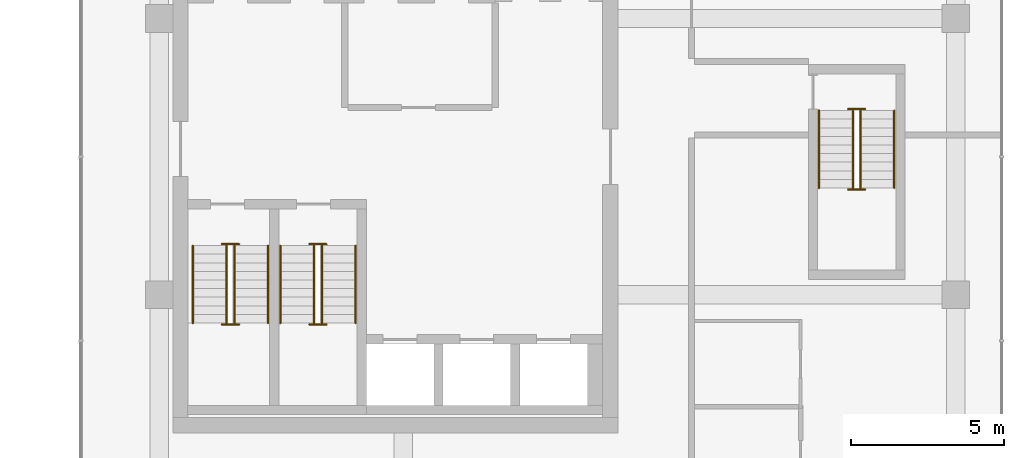
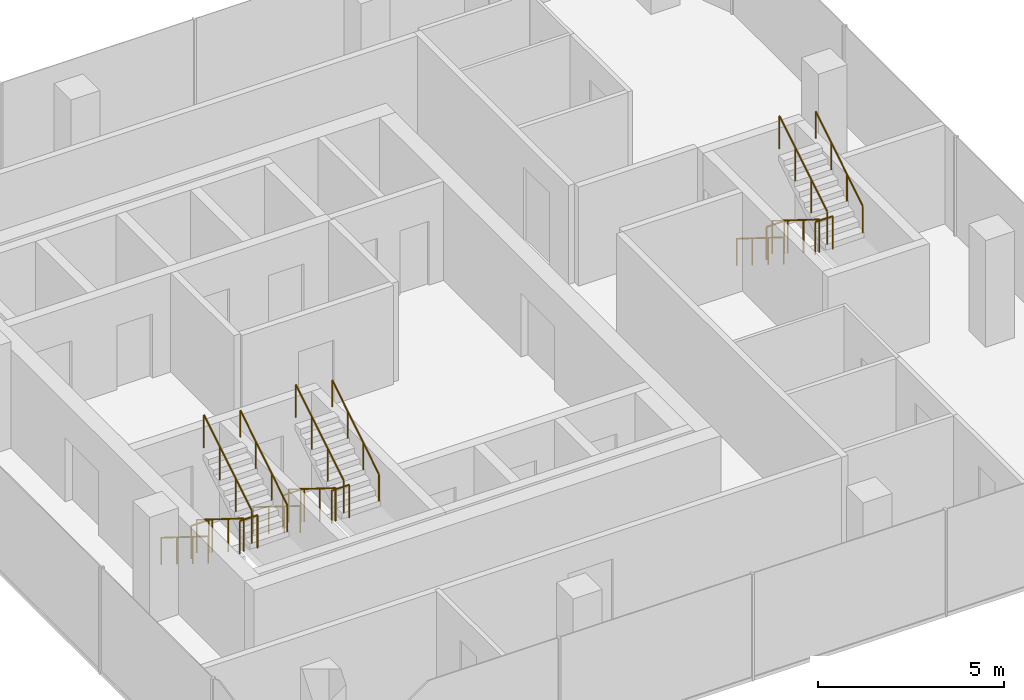
# One storey, part 22 of 22: 18 railings.
"""IFC4 building model written with IfcOpenShell, lengths in metres."""

import ifcopenshell
import ifcopenshell.guid

model = None  # the IFC model being written
_history = None  # IfcOwnerHistory: only IFC2X3 demands one
_inside = {}  # id of a spatial element -> (the spatial element, [elements in it])
_under = {}  # id of a project, library or spatial element -> (it, [spatial elements below it])
_declared = {}  # id of a project -> (the project, [libraries it declares])
_typed = {}  # id of a type object -> (the type object, [elements of that type])
_made_of = {}  # id of a material, layer set ... -> (it, [elements and type objects made of it])


def new_model(schema):
    """Start an empty IFC model of exactly this schema.

    Asked for "IFC4X3", IfcOpenShell would pick the latest addendum, in which some entities
    have other attributes; the version numbers below select the first issue.
    IFC2X3 requires an IfcOwnerHistory on every rooted entity: one is made here for all.
    """
    global model, _history
    if schema == "IFC4X3":
        model = ifcopenshell.file(schema_version=(4, 3, 0, 0))
    else:
        model = ifcopenshell.file(schema=schema)
    _inside.clear()
    _under.clear()
    _declared.clear()
    _typed.clear()
    _made_of.clear()
    _history = None
    if model.schema == "IFC2X3":
        org = make("IfcOrganization", Name="unknown")
        user = make(
            "IfcPersonAndOrganization",
            ThePerson=make("IfcPerson", FamilyName="unknown"),
            TheOrganization=org,
        )
        app = make(
            "IfcApplication",
            ApplicationDeveloper=org,
            Version="unknown",
            ApplicationFullName="unknown",
            ApplicationIdentifier="unknown",
        )
        _history = make(
            "IfcOwnerHistory",
            OwningUser=user,
            OwningApplication=app,
            ChangeAction="ADDED",
            CreationDate=0,
        )
    return model


def make(cls, **values):
    """One entity of the class cls with the attributes given. An attribute that is None is left unset."""
    return model.create_entity(
        cls, **{name: value for name, value in values.items() if value is not None}
    )


def rooted(cls, **values):
    """An entity with a GlobalId (a new one), such as an element, a storey or a relation."""
    return make(cls, GlobalId=ifcopenshell.guid.new(), OwnerHistory=_history, **values)


def si_unit(unit_type, name, prefix=None):
    """IfcSIUnit, for example si_unit("LENGTHUNIT", "METRE", prefix="MILLI")."""
    return make("IfcSIUnit", UnitType=unit_type, Prefix=prefix, Name=name)


def assignment(units):
    """IfcUnitAssignment: the units of a project."""
    return None if units is None else make("IfcUnitAssignment", Units=units)


def point(xyz):
    """IfcCartesianPoint."""
    return None if xyz is None else make("IfcCartesianPoint", Coordinates=xyz)


def direction(xyz):
    """IfcDirection."""
    return None if xyz is None else make("IfcDirection", DirectionRatios=xyz)


def frame(location, z_axis=None, x_axis=None):
    """IfcAxis2Placement3D, a coordinate frame: its origin and axes. An axis left out is left unset."""
    return make(
        "IfcAxis2Placement3D",
        Location=point(location),
        Axis=direction(z_axis),
        RefDirection=direction(x_axis),
    )


def frame_2d(location, x_axis=None):
    """IfcAxis2Placement2D, a coordinate frame in the plane: its origin and x axis."""
    return make(
        "IfcAxis2Placement2D", Location=point(location), RefDirection=direction(x_axis)
    )


def origin():
    """The frame at (0, 0, 0) with its axes left unset."""
    return frame((0.0, 0.0, 0.0))


def origin_2d():
    """The frame at (0, 0) in the plane with its x axis left unset."""
    return frame_2d((0.0, 0.0))


def place(relative_to, where):
    """IfcLocalPlacement: puts the frame where relative to a parent placement (None: the world)."""
    return make(
        "IfcLocalPlacement", PlacementRelTo=relative_to, RelativePlacement=where
    )


def context(
    kind, dimensions, precision=None, world=None, true_north=None, identifier=None
):
    """IfcGeometricRepresentationContext, for example the 3D "Model" context."""
    return make(
        "IfcGeometricRepresentationContext",
        ContextIdentifier=identifier,
        ContextType=kind,
        CoordinateSpaceDimension=dimensions,
        Precision=precision,
        WorldCoordinateSystem=world,
        TrueNorth=true_north,
    )


def subcontext(parent, identifier, kind, view, scale=None):
    """IfcGeometricRepresentationSubContext, for example "Body" below "Model"."""
    return make(
        "IfcGeometricRepresentationSubContext",
        ContextIdentifier=identifier,
        ContextType=kind,
        ParentContext=parent,
        TargetScale=scale,
        TargetView=view,
    )


def project(units=None, contexts=None):
    """IfcProject with its units and contexts."""
    return rooted(
        "IfcProject",
        Name="project",
        RepresentationContexts=contexts,
        UnitsInContext=assignment(units),
    )


def spatial(cls, under=None, at=None, **own):
    """A site, building, storey or space (cls), placed at a placement, below another one or the project."""
    s = rooted(cls, ObjectPlacement=at, **own)
    if under is not None:
        _under.setdefault(under.id(), (under, []))[1].append(s)
    return s


def profile(cls, at=None, kind="AREA", **sizes):
    """A parametric profile (cls). Its sizes go by their IFC names, for example OverallWidth=200.0."""
    return make(cls, ProfileType=kind, Position=at, **sizes)


def circle(**sizes):
    """IfcCircleProfileDef."""
    return profile("IfcCircleProfileDef", **sizes)


def extrude(swept, where, along, depth):
    """IfcExtrudedAreaSolid: the profile swept, set in the frame where, extruded along a direction by depth."""
    return make(
        "IfcExtrudedAreaSolid",
        SweptArea=swept,
        Position=where,
        ExtrudedDirection=direction(along),
        Depth=depth,
    )


def shape(context_of_items, identifier, shape_type, items):
    """IfcShapeRepresentation: the items that make up one representation, for example the "Body"."""
    return make(
        "IfcShapeRepresentation",
        ContextOfItems=context_of_items,
        RepresentationIdentifier=identifier,
        RepresentationType=shape_type,
        Items=items,
    )


def material(Name=None, Category=None):
    """IfcMaterial."""
    return make("IfcMaterial", Name=Name, Category=Category)


def made_of(thing, what):
    """Note that an element or type object is made of a material, layer set ...; save() writes the relation."""
    if what is not None:
        _made_of.setdefault(what.id(), (what, []))[1].append(thing)
    return thing


def type_object(cls, material=None, **own):
    """A type object (cls), such as IfcWallType, which elements share."""
    return made_of(rooted(cls, **own), material)


def element(
    cls,
    number,
    at=None,
    inside=None,
    cuts=None,
    type_object=None,
    material=None,
    context=None,
    identifier="Body",
    shape_type=None,
    held_by="IfcProductDefinitionShape",
    body=None,
    shapes=None,
    **own,
):
    """One element of the class cls, such as IfcWall. Its Tag is "e" and its number.

    at: its placement. inside: the storey or other place that contains it. cuts: it is an
    opening in that element (IfcRelVoidsElement). A single representation is given by context,
    identifier, shape_type and body (its items); several are given by shapes. held_by: the class
    of the entity that holds the representations. save() writes the other relations.
    """
    e = rooted(cls, Tag="e%d" % number, ObjectPlacement=at, **own)
    if body is not None:
        shapes = [shape(context, identifier, shape_type, body)]
    if shapes is not None:
        e.Representation = make(held_by, Representations=shapes)
    if inside is not None:
        _inside.setdefault(inside.id(), (inside, []))[1].append(e)
    if cuts is not None:
        rooted(
            "IfcRelVoidsElement", RelatingBuildingElement=cuts, RelatedOpeningElement=e
        )
    if type_object is not None:
        _typed.setdefault(type_object.id(), (type_object, []))[1].append(e)
    return made_of(e, material)


def aggregate(whole, parts):
    """IfcRelAggregates: a whole, such as a stair, and the parts it consists of."""
    return rooted("IfcRelAggregates", RelatingObject=whole, RelatedObjects=parts)


def save(model, path):
    """Write the relations noted so far, then the file.

    IfcRelAggregates (storeys below a building ...), IfcRelContainedInSpatialStructure (elements
    in a storey), IfcRelDefinesByType, IfcRelAssociatesMaterial and IfcRelDeclares: one each for
    every whole, place, type object, material and project.
    """
    for whole, parts in _under.values():
        aggregate(whole, parts)
    for where, things in _inside.values():
        rooted(
            "IfcRelContainedInSpatialStructure",
            RelatedElements=things,
            RelatingStructure=where,
        )
    for kind, things in _typed.values():
        rooted("IfcRelDefinesByType", RelatedObjects=things, RelatingType=kind)
    for what, things in _made_of.values():
        rooted("IfcRelAssociatesMaterial", RelatedObjects=things, RelatingMaterial=what)
    for by, libraries in _declared.values():
        rooted("IfcRelDeclares", RelatingContext=by, RelatedDefinitions=libraries)
    model.write(path)


model = new_model("IFC4")

# Units and contexts
model_context = context("Model", 3, precision=1e-05, world=origin(), true_north=direction((0.0, 1.0)))
body_context = subcontext(model_context, "Body", "Model", "MODEL_VIEW")
ifc_project = project(units=[si_unit("LENGTHUNIT", "METRE"), si_unit("AREAUNIT", "SQUARE_METRE"), si_unit("VOLUMEUNIT", "CUBIC_METRE"), si_unit("PLANEANGLEUNIT", "RADIAN"), si_unit("MASSUNIT", "GRAM", prefix="KILO")], contexts=[model_context])

# Site, building, storey
site_placement = place(None, origin())
site = spatial("IfcSite", under=ifc_project, at=site_placement, CompositionType="ELEMENT")
building_placement = place(site_placement, origin())
building = spatial("IfcBuilding", under=site, at=building_placement, Name="Plateau Cross Towers", CompositionType="ELEMENT")
storey_placement = place(building_placement, frame((0.0, 0.0, 54.800048828125)))
storey = spatial("IfcBuildingStorey", under=building, at=storey_placement, Name="L13", CompositionType="ELEMENT", Elevation=54.800048828125)

# Railings
ifc_material_1 = material(Name="Stainless steel and toughened glass", Category="steel")
railing_type_1 = type_object("IfcRailingType", Name="RL-GUARD-1100", PredefinedType="GUARDRAIL", material=ifc_material_1)
railing_1_placement = place(storey_placement, frame((76.75, 6.10009765625, 0.175048828125)))
element("IfcRailing", 1, at=railing_1_placement, inside=storey, type_object=railing_type_1, Name="L13 SB-1 stair guard 1", PredefinedType="GUARDRAIL", context=body_context, shape_type="SweptSolid", body=[
    extrude(circle(Radius=0.02392578125, at=origin_2d()), frame((0.0, 0.0, 1.076171875), z_axis=(0.0, -0.848007534815, 0.529984170421), x_axis=(1.0, 0.0, 0.0)), (0.0, 0.0, 1.0), 2.9716796875),
    extrude(circle(Radius=0.02099609375, at=origin_2d()), origin(), (0.0, 0.0, 1.0), 1.052001953125),
    extrude(circle(Radius=0.02099609375, at=origin_2d()), frame((0.0, -0.840087890625, 0.52490234375)), (0.0, 0.0, 1.0), 1.052001953125),
    extrude(circle(Radius=0.02099609375, at=origin_2d()), frame((0.0, -1.679931640625, 1.050048828125)), (0.0, 0.0, 1.0), 1.052001953125),
    extrude(circle(Radius=0.02099609375, at=origin_2d()), frame((0.0, -2.52001953125, 1.574951171875)), (0.0, 0.0, 1.0), 1.052001953125),
])
railing_2_placement = place(storey_placement, frame((76.60009765625, 3.530029296875, 1.75)))
element("IfcRailing", 2, at=railing_2_placement, inside=storey, type_object=railing_type_1, Name="L13 SB-1 stair guard 2", PredefinedType="GUARDRAIL", context=body_context, shape_type="SweptSolid", body=[
    extrude(circle(Radius=0.02392578125, at=origin_2d()), frame((0.0, 0.0, 1.076171875), z_axis=(1.0, 0.0, 0.0), x_axis=(0.0, 1.0, 0.0)), (0.0, 0.0, 1.0), 0.5498046875),
    extrude(circle(Radius=0.02099609375, at=origin_2d()), origin(), (0.0, 0.0, 1.0), 1.052001953125),
    extrude(circle(Radius=0.02099609375, at=origin_2d()), frame((0.5498046875, 0.0, 0.0)), (0.0, 0.0, 1.0), 1.052001953125),
])
railing_3_placement = place(storey_placement, frame((77.0, 3.580078125, 1.925048828125)))
element("IfcRailing", 3, at=railing_3_placement, inside=storey, type_object=railing_type_1, Name="L13 SB-1 stair guard 3", PredefinedType="GUARDRAIL", context=body_context, shape_type="SweptSolid", body=[
    extrude(circle(Radius=0.02392578125, at=origin_2d()), frame((0.0, 0.0, 1.076171875), z_axis=(0.0, 0.852616386126, 0.522537365276), x_axis=(-1.0, 0.0, 0.0)), (0.0, 0.0, 1.0), 3.01416015625),
    extrude(circle(Radius=0.02099609375, at=origin_2d()), origin(), (0.0, 0.0, 1.0), 1.052001953125),
    extrude(circle(Radius=0.02099609375, at=origin_2d()), frame((0.0, 0.856689453125, 0.52490234375)), (0.0, 0.0, 1.0), 1.052001953125),
    extrude(circle(Radius=0.02099609375, at=origin_2d()), frame((0.0, 1.713134765625, 1.050048828125)), (0.0, 0.0, 1.0), 1.052001953125),
    extrude(circle(Radius=0.02099609375, at=origin_2d()), frame((0.0, 2.56982421875, 1.574951171875)), (0.0, 0.0, 1.0), 1.052001953125),
])
railing_4_placement = place(storey_placement, frame((76.60009765625, 6.14990234375, 0.0)))
element("IfcRailing", 4, at=railing_4_placement, inside=storey, type_object=railing_type_1, Name="L13 SB-1 stair guard 4", PredefinedType="GUARDRAIL", context=body_context, shape_type="SweptSolid", body=[
    extrude(circle(Radius=0.02392578125, at=origin_2d()), frame((0.0, 0.0, 1.076171875), z_axis=(1.0, 0.0, 0.0), x_axis=(0.0, 1.0, 0.0)), (0.0, 0.0, 1.0), 0.5498046875),
    extrude(circle(Radius=0.02099609375, at=origin_2d()), origin(), (0.0, 0.0, 1.0), 1.052001953125),
    extrude(circle(Radius=0.02099609375, at=origin_2d()), frame((0.5498046875, 0.0, 0.0)), (0.0, 0.0, 1.0), 1.052001953125),
])
railing_5_placement = place(storey_placement, frame((79.60009765625, 6.10009765625, 0.175048828125)))
element("IfcRailing", 5, at=railing_5_placement, inside=storey, type_object=railing_type_1, Name="L13 SB-2 stair guard 1", PredefinedType="GUARDRAIL", context=body_context, shape_type="SweptSolid", body=[
    extrude(circle(Radius=0.02392578125, at=origin_2d()), frame((0.0, 0.0, 1.076171875), z_axis=(0.0, -0.848007534815, 0.529984170421), x_axis=(1.0, 0.0, 0.0)), (0.0, 0.0, 1.0), 2.9716796875),
    extrude(circle(Radius=0.02099609375, at=origin_2d()), origin(), (0.0, 0.0, 1.0), 1.052001953125),
    extrude(circle(Radius=0.02099609375, at=origin_2d()), frame((0.0, -0.840087890625, 0.52490234375)), (0.0, 0.0, 1.0), 1.052001953125),
    extrude(circle(Radius=0.02099609375, at=origin_2d()), frame((0.0, -1.679931640625, 1.050048828125)), (0.0, 0.0, 1.0), 1.052001953125),
    extrude(circle(Radius=0.02099609375, at=origin_2d()), frame((0.0, -2.52001953125, 1.574951171875)), (0.0, 0.0, 1.0), 1.052001953125),
])
railing_6_placement = place(storey_placement, frame((79.449951171875, 3.530029296875, 1.75)))
element("IfcRailing", 6, at=railing_6_placement, inside=storey, type_object=railing_type_1, Name="L13 SB-2 stair guard 2", PredefinedType="GUARDRAIL", context=body_context, shape_type="SweptSolid", body=[
    extrude(circle(Radius=0.02392578125, at=origin_2d()), frame((0.0, 0.0, 1.076171875), z_axis=(1.0, 0.0, 0.0), x_axis=(0.0, 1.0, 0.0)), (0.0, 0.0, 1.0), 0.550048828125),
    extrude(circle(Radius=0.02099609375, at=origin_2d()), origin(), (0.0, 0.0, 1.0), 1.052001953125),
    extrude(circle(Radius=0.02099609375, at=origin_2d()), frame((0.550048828125, 0.0, 0.0)), (0.0, 0.0, 1.0), 1.052001953125),
])
railing_7_placement = place(storey_placement, frame((79.85009765625, 3.580078125, 1.925048828125)))
element("IfcRailing", 7, at=railing_7_placement, inside=storey, type_object=railing_type_1, Name="L13 SB-2 stair guard 3", PredefinedType="GUARDRAIL", context=body_context, shape_type="SweptSolid", body=[
    extrude(circle(Radius=0.02392578125, at=origin_2d()), frame((0.0, 0.0, 1.076171875), z_axis=(0.0, 0.852616386126, 0.522537365276), x_axis=(-1.0, 0.0, 0.0)), (0.0, 0.0, 1.0), 3.01416015625),
    extrude(circle(Radius=0.02099609375, at=origin_2d()), origin(), (0.0, 0.0, 1.0), 1.052001953125),
    extrude(circle(Radius=0.02099609375, at=origin_2d()), frame((0.0, 0.856689453125, 0.52490234375)), (0.0, 0.0, 1.0), 1.052001953125),
    extrude(circle(Radius=0.02099609375, at=origin_2d()), frame((0.0, 1.713134765625, 1.050048828125)), (0.0, 0.0, 1.0), 1.052001953125),
    extrude(circle(Radius=0.02099609375, at=origin_2d()), frame((0.0, 2.56982421875, 1.574951171875)), (0.0, 0.0, 1.0), 1.052001953125),
])
railing_8_placement = place(storey_placement, frame((79.449951171875, 6.14990234375, 0.0)))
element("IfcRailing", 8, at=railing_8_placement, inside=storey, type_object=railing_type_1, Name="L13 SB-2 stair guard 4", PredefinedType="GUARDRAIL", context=body_context, shape_type="SweptSolid", body=[
    extrude(circle(Radius=0.02392578125, at=origin_2d()), frame((0.0, 0.0, 1.076171875), z_axis=(1.0, 0.0, 0.0), x_axis=(0.0, 1.0, 0.0)), (0.0, 0.0, 1.0), 0.550048828125),
    extrude(circle(Radius=0.02099609375, at=origin_2d()), origin(), (0.0, 0.0, 1.0), 1.052001953125),
    extrude(circle(Radius=0.02099609375, at=origin_2d()), frame((0.550048828125, 0.0, 0.0)), (0.0, 0.0, 1.0), 1.052001953125),
])
railing_9_placement = place(storey_placement, frame((97.14990234375, 10.5, 0.175048828125)))
element("IfcRailing", 9, at=railing_9_placement, inside=storey, type_object=railing_type_1, Name="L13 SB-3 stair guard 1", PredefinedType="GUARDRAIL", context=body_context, shape_type="SweptSolid", body=[
    extrude(circle(Radius=0.02392578125, at=origin_2d()), frame((0.0, 0.0, 1.076171875), z_axis=(0.0, -0.848007534815, 0.529984170421), x_axis=(1.0, 0.0, 0.0)), (0.0, 0.0, 1.0), 2.9716796875),
    extrude(circle(Radius=0.02099609375, at=origin_2d()), origin(), (0.0, 0.0, 1.0), 1.052001953125),
    extrude(circle(Radius=0.02099609375, at=origin_2d()), frame((0.0, -0.840087890625, 0.52490234375)), (0.0, 0.0, 1.0), 1.052001953125),
    extrude(circle(Radius=0.02099609375, at=origin_2d()), frame((0.0, -1.679931640625, 1.050048828125)), (0.0, 0.0, 1.0), 1.052001953125),
    extrude(circle(Radius=0.02099609375, at=origin_2d()), frame((0.0, -2.52001953125, 1.574951171875)), (0.0, 0.0, 1.0), 1.052001953125),
])
railing_10_placement = place(storey_placement, frame((97.0, 7.929931640625, 1.75)))
element("IfcRailing", 10, at=railing_10_placement, inside=storey, type_object=railing_type_1, Name="L13 SB-3 stair guard 2", PredefinedType="GUARDRAIL", context=body_context, shape_type="SweptSolid", body=[
    extrude(circle(Radius=0.02392578125, at=origin_2d()), frame((0.0, 0.0, 1.076171875), z_axis=(1.0, 0.0, 0.0), x_axis=(0.0, 1.0, 0.0)), (0.0, 0.0, 1.0), 0.550048828125),
    extrude(circle(Radius=0.02099609375, at=origin_2d()), origin(), (0.0, 0.0, 1.0), 1.052001953125),
    extrude(circle(Radius=0.02099609375, at=origin_2d()), frame((0.550048828125, 0.0, 0.0)), (0.0, 0.0, 1.0), 1.052001953125),
])
railing_11_placement = place(storey_placement, frame((97.39990234375, 7.97998046875, 1.925048828125)))
element("IfcRailing", 11, at=railing_11_placement, inside=storey, type_object=railing_type_1, Name="L13 SB-3 stair guard 3", PredefinedType="GUARDRAIL", context=body_context, shape_type="SweptSolid", body=[
    extrude(circle(Radius=0.02392578125, at=origin_2d()), frame((0.0, 0.0, 1.076171875), z_axis=(0.0, 0.852638500773, 0.522501279423), x_axis=(-1.0, 0.0, 0.0)), (0.0, 0.0, 1.0), 3.01416015625),
    extrude(circle(Radius=0.02099609375, at=origin_2d()), origin(), (0.0, 0.0, 1.0), 1.052001953125),
    extrude(circle(Radius=0.02099609375, at=origin_2d()), frame((0.0, 0.856689453125, 0.52490234375)), (0.0, 0.0, 1.0), 1.052001953125),
    extrude(circle(Radius=0.02099609375, at=origin_2d()), frame((0.0, 1.71337890625, 1.050048828125)), (0.0, 0.0, 1.0), 1.052001953125),
    extrude(circle(Radius=0.02099609375, at=origin_2d()), frame((0.0, 2.570068359375, 1.574951171875)), (0.0, 0.0, 1.0), 1.052001953125),
])
railing_12_placement = place(storey_placement, frame((97.0, 10.550048828125, 0.0)))
element("IfcRailing", 12, at=railing_12_placement, inside=storey, type_object=railing_type_1, Name="L13 SB-3 stair guard 4", PredefinedType="GUARDRAIL", context=body_context, shape_type="SweptSolid", body=[
    extrude(circle(Radius=0.02392578125, at=origin_2d()), frame((0.0, 0.0, 1.076171875), z_axis=(1.0, 0.0, 0.0), x_axis=(0.0, 1.0, 0.0)), (0.0, 0.0, 1.0), 0.550048828125),
    extrude(circle(Radius=0.02099609375, at=origin_2d()), origin(), (0.0, 0.0, 1.0), 1.052001953125),
    extrude(circle(Radius=0.02099609375, at=origin_2d()), frame((0.550048828125, 0.0, 0.0)), (0.0, 0.0, 1.0), 1.052001953125),
])
ifc_material_2 = material(Name="Black anodised aluminium", Category="aluminium")
railing_type_2 = type_object("IfcRailingType", Name="RL-HANDRAIL-900", PredefinedType="HANDRAIL", material=ifc_material_2)
railing_13_placement = place(storey_placement, frame((75.64990234375, 6.10009765625, 0.175048828125)))
element("IfcRailing", 13, at=railing_13_placement, inside=storey, type_object=railing_type_2, Name="L13 SB-1 stair handrail 1", PredefinedType="HANDRAIL", context=body_context, shape_type="SweptSolid", body=[
    extrude(circle(Radius=0.02392578125, at=origin_2d()), frame((0.0, 0.0, 0.8759765625), z_axis=(0.0, -0.848007534815, 0.529984170421), x_axis=(1.0, 0.0, 0.0)), (0.0, 0.0, 1.0), 2.9716796875),
    extrude(circle(Radius=0.02099609375, at=origin_2d()), origin(), (0.0, 0.0, 1.0), 0.851806640625),
    extrude(circle(Radius=0.02099609375, at=origin_2d()), frame((0.0, -0.840087890625, 0.52490234375)), (0.0, 0.0, 1.0), 0.851806640625),
    extrude(circle(Radius=0.02099609375, at=origin_2d()), frame((0.0, -1.679931640625, 1.050048828125)), (0.0, 0.0, 1.0), 0.851806640625),
    extrude(circle(Radius=0.02099609375, at=origin_2d()), frame((0.0, -2.52001953125, 1.574951171875)), (0.0, 0.0, 1.0), 0.851806640625),
])
railing_14_placement = place(storey_placement, frame((78.10009765625, 3.580078125, 1.925048828125)))
element("IfcRailing", 14, at=railing_14_placement, inside=storey, type_object=railing_type_2, Name="L13 SB-1 stair handrail 2", PredefinedType="HANDRAIL", context=body_context, shape_type="SweptSolid", body=[
    extrude(circle(Radius=0.02392578125, at=origin_2d()), frame((0.0, 0.0, 0.8759765625), z_axis=(0.0, 0.848007534815, 0.529984170421), x_axis=(-1.0, 0.0, 0.0)), (0.0, 0.0, 1.0), 2.9716796875),
    extrude(circle(Radius=0.02099609375, at=origin_2d()), origin(), (0.0, 0.0, 1.0), 0.851806640625),
    extrude(circle(Radius=0.02099609375, at=origin_2d()), frame((0.0, 0.840087890625, 0.52490234375)), (0.0, 0.0, 1.0), 0.851806640625),
    extrude(circle(Radius=0.02099609375, at=origin_2d()), frame((0.0, 1.679931640625, 1.050048828125)), (0.0, 0.0, 1.0), 0.851806640625),
    extrude(circle(Radius=0.02099609375, at=origin_2d()), frame((0.0, 2.52001953125, 1.574951171875)), (0.0, 0.0, 1.0), 0.851806640625),
])
railing_15_placement = place(storey_placement, frame((78.5, 6.10009765625, 0.175048828125)))
element("IfcRailing", 15, at=railing_15_placement, inside=storey, type_object=railing_type_2, Name="L13 SB-2 stair handrail 1", PredefinedType="HANDRAIL", context=body_context, shape_type="SweptSolid", body=[
    extrude(circle(Radius=0.02392578125, at=origin_2d()), frame((0.0, 0.0, 0.8759765625), z_axis=(0.0, -0.848007534815, 0.529984170421), x_axis=(1.0, 0.0, 0.0)), (0.0, 0.0, 1.0), 2.9716796875),
    extrude(circle(Radius=0.02099609375, at=origin_2d()), origin(), (0.0, 0.0, 1.0), 0.851806640625),
    extrude(circle(Radius=0.02099609375, at=origin_2d()), frame((0.0, -0.840087890625, 0.52490234375)), (0.0, 0.0, 1.0), 0.851806640625),
    extrude(circle(Radius=0.02099609375, at=origin_2d()), frame((0.0, -1.679931640625, 1.050048828125)), (0.0, 0.0, 1.0), 0.851806640625),
    extrude(circle(Radius=0.02099609375, at=origin_2d()), frame((0.0, -2.52001953125, 1.574951171875)), (0.0, 0.0, 1.0), 0.851806640625),
])
railing_16_placement = place(storey_placement, frame((80.949951171875, 3.580078125, 1.925048828125)))
element("IfcRailing", 16, at=railing_16_placement, inside=storey, type_object=railing_type_2, Name="L13 SB-2 stair handrail 2", PredefinedType="HANDRAIL", context=body_context, shape_type="SweptSolid", body=[
    extrude(circle(Radius=0.02392578125, at=origin_2d()), frame((0.0, 0.0, 0.8759765625), z_axis=(0.0, 0.848007534815, 0.529984170421), x_axis=(-1.0, 0.0, 0.0)), (0.0, 0.0, 1.0), 2.9716796875),
    extrude(circle(Radius=0.02099609375, at=origin_2d()), origin(), (0.0, 0.0, 1.0), 0.851806640625),
    extrude(circle(Radius=0.02099609375, at=origin_2d()), frame((0.0, 0.840087890625, 0.52490234375)), (0.0, 0.0, 1.0), 0.851806640625),
    extrude(circle(Radius=0.02099609375, at=origin_2d()), frame((0.0, 1.679931640625, 1.050048828125)), (0.0, 0.0, 1.0), 0.851806640625),
    extrude(circle(Radius=0.02099609375, at=origin_2d()), frame((0.0, 2.52001953125, 1.574951171875)), (0.0, 0.0, 1.0), 0.851806640625),
])
railing_17_placement = place(storey_placement, frame((96.050048828125, 10.5, 0.175048828125)))
element("IfcRailing", 17, at=railing_17_placement, inside=storey, type_object=railing_type_2, Name="L13 SB-3 stair handrail 1", PredefinedType="HANDRAIL", context=body_context, shape_type="SweptSolid", body=[
    extrude(circle(Radius=0.02392578125, at=origin_2d()), frame((0.0, 0.0, 0.8759765625), z_axis=(0.0, -0.848007534815, 0.529984170421), x_axis=(1.0, 0.0, 0.0)), (0.0, 0.0, 1.0), 2.9716796875),
    extrude(circle(Radius=0.02099609375, at=origin_2d()), origin(), (0.0, 0.0, 1.0), 0.851806640625),
    extrude(circle(Radius=0.02099609375, at=origin_2d()), frame((0.0, -0.840087890625, 0.52490234375)), (0.0, 0.0, 1.0), 0.851806640625),
    extrude(circle(Radius=0.02099609375, at=origin_2d()), frame((0.0, -1.679931640625, 1.050048828125)), (0.0, 0.0, 1.0), 0.851806640625),
    extrude(circle(Radius=0.02099609375, at=origin_2d()), frame((0.0, -2.52001953125, 1.574951171875)), (0.0, 0.0, 1.0), 0.851806640625),
])
railing_18_placement = place(storey_placement, frame((98.5, 7.97998046875, 1.925048828125)))
element("IfcRailing", 18, at=railing_18_placement, inside=storey, type_object=railing_type_2, Name="L13 SB-3 stair handrail 2", PredefinedType="HANDRAIL", context=body_context, shape_type="SweptSolid", body=[
    extrude(circle(Radius=0.02392578125, at=origin_2d()), frame((0.0, 0.0, 0.8759765625), z_axis=(0.0, 0.848007534815, 0.529984170421), x_axis=(-1.0, 0.0, 0.0)), (0.0, 0.0, 1.0), 2.9716796875),
    extrude(circle(Radius=0.02099609375, at=origin_2d()), origin(), (0.0, 0.0, 1.0), 0.851806640625),
    extrude(circle(Radius=0.02099609375, at=origin_2d()), frame((0.0, 0.840087890625, 0.52490234375)), (0.0, 0.0, 1.0), 0.851806640625),
    extrude(circle(Radius=0.02099609375, at=origin_2d()), frame((0.0, 1.679931640625, 1.050048828125)), (0.0, 0.0, 1.0), 0.851806640625),
    extrude(circle(Radius=0.02099609375, at=origin_2d()), frame((0.0, 2.52001953125, 1.574951171875)), (0.0, 0.0, 1.0), 0.851806640625),
])

save(model, "model.ifc")
